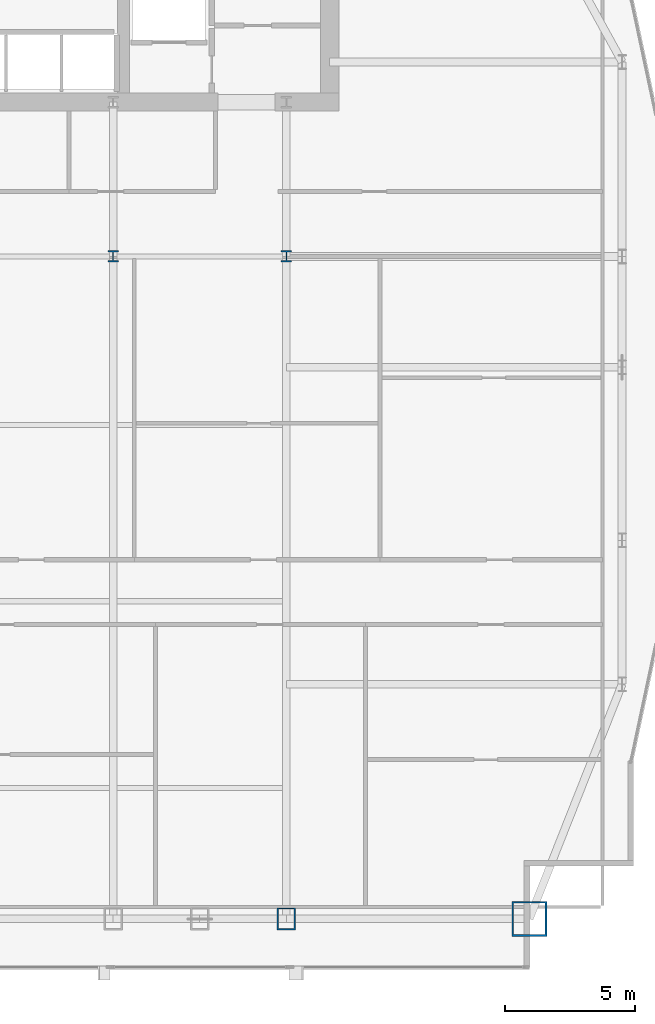
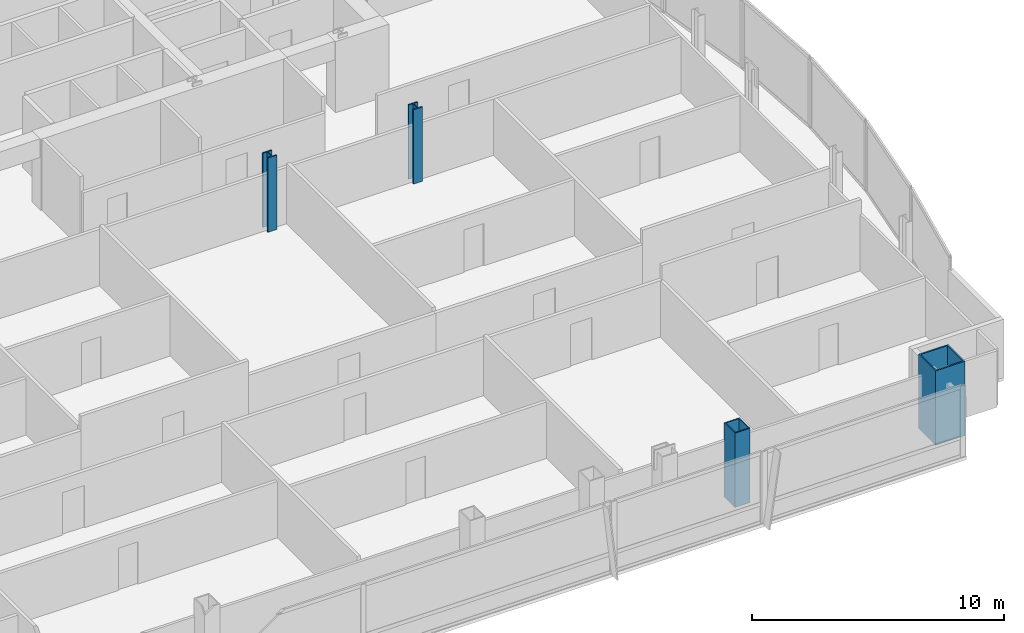
# One storey, part 2 of 29: 4 columns.
"""IFC4 building model written with IfcOpenShell, lengths in metres."""

from ifc_helpers import new_model, si_unit, direction, frame, origin, origin_2d, place, context, subcontext, project, spatial, hollow_rectangle, i_section, extrude, material, material_profile, profile_set, type_object, element, save


model = new_model("IFC4")

# Units and contexts
model_context = context("Model", 3, precision=1e-05, world=origin(), true_north=direction((0.0, 1.0)))
body_context = subcontext(model_context, "Body", "Model", "MODEL_VIEW")
ifc_project = project(units=[si_unit("LENGTHUNIT", "METRE"), si_unit("AREAUNIT", "SQUARE_METRE"), si_unit("VOLUMEUNIT", "CUBIC_METRE"), si_unit("PLANEANGLEUNIT", "RADIAN"), si_unit("MASSUNIT", "GRAM", prefix="KILO")], contexts=[model_context])

# Site, building, storey
site_placement = place(None, origin())
site = spatial("IfcSite", under=ifc_project, at=site_placement, CompositionType="ELEMENT")
building_placement = place(site_placement, origin())
building = spatial("IfcBuilding", under=site, at=building_placement, Name="Khoronbel Lancet Exchange", CompositionType="ELEMENT")
storey_placement = place(building_placement, frame((0.0, 0.0, 165.0)))
storey = spatial("IfcBuildingStorey", under=building, at=storey_placement, Name="L41", CompositionType="ELEMENT", Elevation=165.0)

# Columns
ifc_material = material(Name="Steel S460", Category="steel")
ifc_material_profile_1 = material_profile(ifc_material, hollow_rectangle(XDim=0.699951171875, YDim=0.85009765625, WallThickness=0.050048828125, at=origin_2d()), Name="BOX 850x700x50")
ifc_profile_set_1 = profile_set([ifc_material_profile_1], Name="Steel S460")
column_type_1 = type_object("IfcColumnType", Name="COL-EC2", PredefinedType="COLUMN", material=ifc_profile_set_1)
column_1_placement = place(storey_placement, frame((54.675048828125, 10.14990234375, 0.0), z_axis=(0.0, 0.0, 1.0), x_axis=(1.0, 0.0, 0.0)))
element("IfcColumn", 1, at=column_1_placement, inside=storey, type_object=column_type_1, Name="Structural column SC-E2 L41", PredefinedType="COLUMN", context=body_context, shape_type="SweptSolid", body=[
    extrude(hollow_rectangle(XDim=0.699951171875, YDim=0.85009765625, WallThickness=0.050048828125, at=origin_2d()), origin(), (0.0, 0.0, 1.0), 3.60009765625),
])
ifc_material_profile_2 = material_profile(ifc_material, i_section(OverallWidth=0.416015625, OverallDepth=0.446044921875, WebThickness=0.0390625, FlangeThickness=0.062744140625, at=origin_2d()), Name="HD 400x509")
ifc_profile_set_2 = profile_set([ifc_material_profile_2], Name="Steel S460")
column_type_2 = type_object("IfcColumnType", Name="COL-IC2", PredefinedType="COLUMN", material=ifc_profile_set_2)
for number, where, z_axis, x_axis, name in (
    (2, (48.0, 35.699951171875, 0.0), (0.0, 0.0, 1.0), (1.0, 0.0, 0.0), "Spine gravity column TC3 L41"),
    (3, (54.675048828125, 35.699951171875, 0.0), (0.0, 0.0, 1.0), (1.0, 0.0, 0.0), "Spine gravity column TC4 L41"),
):
    element("IfcColumn", number, at=place(storey_placement, frame(where, z_axis=z_axis, x_axis=x_axis)), inside=storey, type_object=column_type_2, Name=name, PredefinedType="COLUMN", context=body_context, shape_type="SweptSolid", body=[
        extrude(i_section(OverallWidth=0.416015625, OverallDepth=0.446044921875, WebThickness=0.0390625, FlangeThickness=0.062744140625, at=origin_2d()), origin(), (0.0, 0.0, 1.0), 3.60009765625),
    ])
ifc_material_profile_3 = material_profile(ifc_material, hollow_rectangle(XDim=1.35009765625, YDim=1.35009765625, WallThickness=0.06494140625, at=origin_2d()), Name="BOX 1350x1350x65")
ifc_profile_set_3 = profile_set([ifc_material_profile_3], Name="Steel S460")
column_type_3 = type_object("IfcColumnType", Name="COL-MC4", PredefinedType="COLUMN", material=ifc_profile_set_3)
column_2_placement = place(storey_placement, frame((64.050048828125, 10.14990234375, 0.0), z_axis=(0.0, 0.0, 1.0), x_axis=(1.0, 0.0, 0.0)))
element("IfcColumn", 4, at=column_2_placement, inside=storey, type_object=column_type_3, Name="Structural column MC-SE L41", PredefinedType="COLUMN", context=body_context, shape_type="SweptSolid", body=[
    extrude(hollow_rectangle(XDim=1.35009765625, YDim=1.35009765625, WallThickness=0.06494140625, at=origin_2d()), origin(), (0.0, 0.0, 1.0), 3.60009765625),
])

save(model, "model.ifc")
